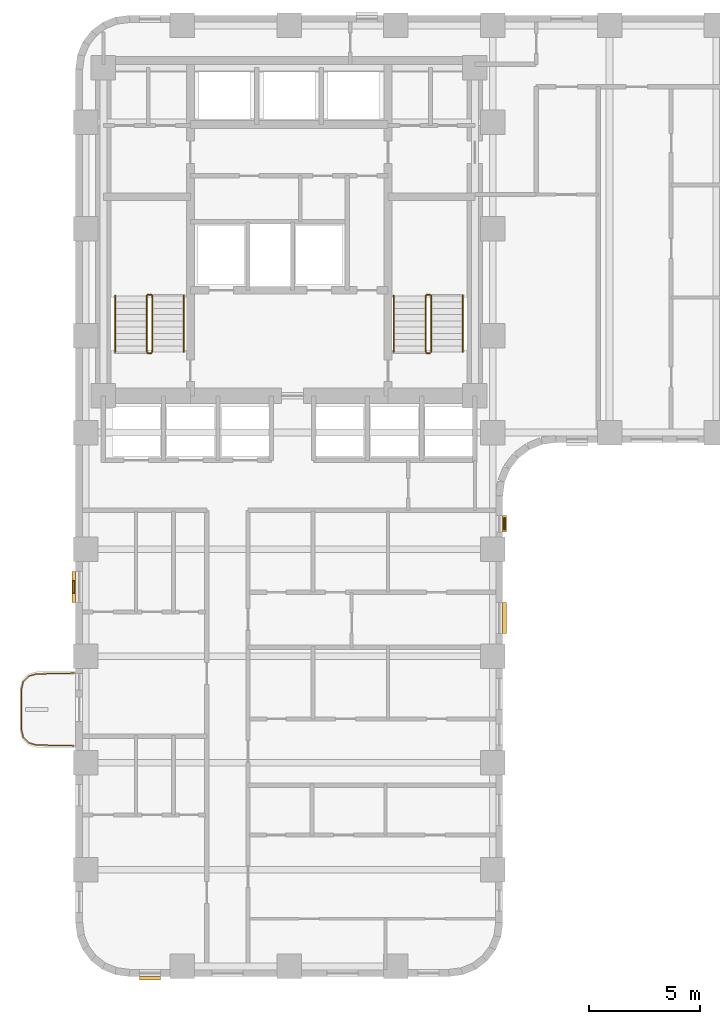
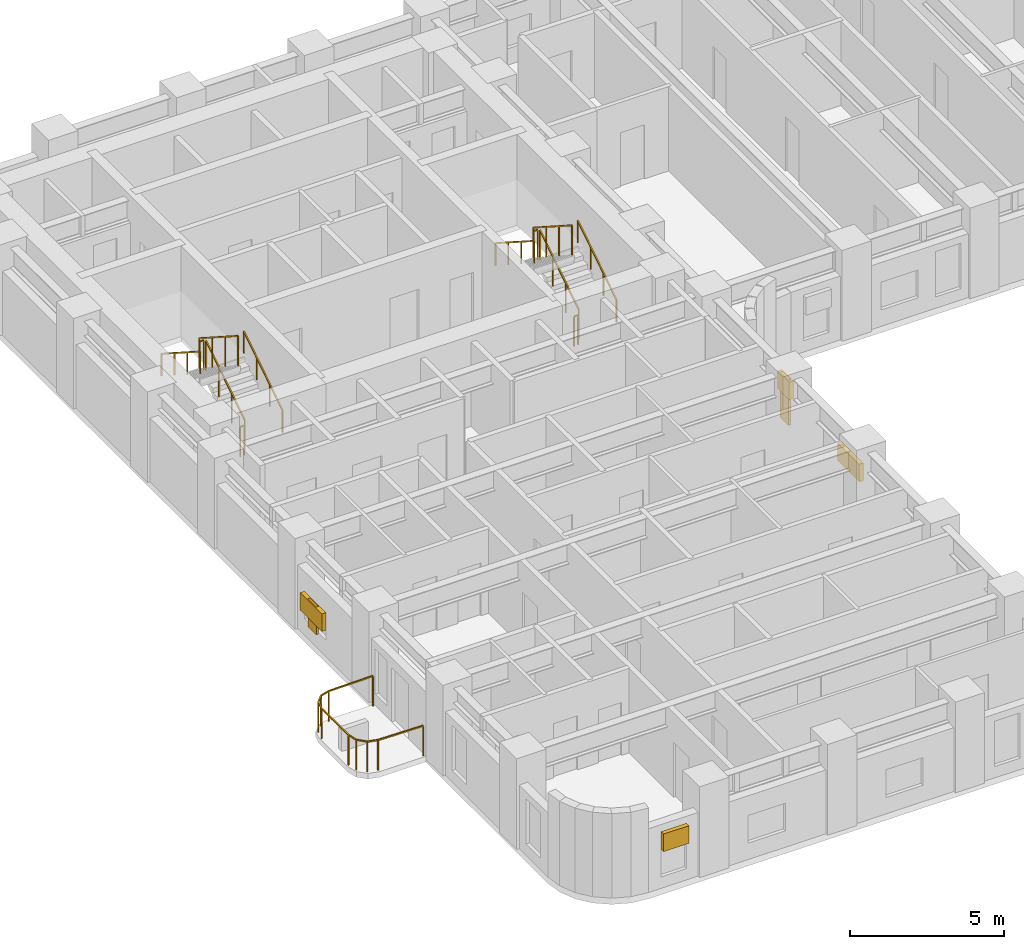
# One storey, part 9 of 11: 13 railings, 6 shading devices.
"""IFC4 building model written with IfcOpenShell, lengths in metres."""

import ifcopenshell
import ifcopenshell.guid

model = None  # the IFC model being written
_history = None  # IfcOwnerHistory: only IFC2X3 demands one
_inside = {}  # id of a spatial element -> (the spatial element, [elements in it])
_under = {}  # id of a project, library or spatial element -> (it, [spatial elements below it])
_declared = {}  # id of a project -> (the project, [libraries it declares])
_typed = {}  # id of a type object -> (the type object, [elements of that type])
_made_of = {}  # id of a material, layer set ... -> (it, [elements and type objects made of it])


def new_model(schema):
    """Start an empty IFC model of exactly this schema.

    Asked for "IFC4X3", IfcOpenShell would pick the latest addendum, in which some entities
    have other attributes; the version numbers below select the first issue.
    IFC2X3 requires an IfcOwnerHistory on every rooted entity: one is made here for all.
    """
    global model, _history
    if schema == "IFC4X3":
        model = ifcopenshell.file(schema_version=(4, 3, 0, 0))
    else:
        model = ifcopenshell.file(schema=schema)
    _inside.clear()
    _under.clear()
    _declared.clear()
    _typed.clear()
    _made_of.clear()
    _history = None
    if model.schema == "IFC2X3":
        org = make("IfcOrganization", Name="unknown")
        user = make(
            "IfcPersonAndOrganization",
            ThePerson=make("IfcPerson", FamilyName="unknown"),
            TheOrganization=org,
        )
        app = make(
            "IfcApplication",
            ApplicationDeveloper=org,
            Version="unknown",
            ApplicationFullName="unknown",
            ApplicationIdentifier="unknown",
        )
        _history = make(
            "IfcOwnerHistory",
            OwningUser=user,
            OwningApplication=app,
            ChangeAction="ADDED",
            CreationDate=0,
        )
    return model


def make(cls, **values):
    """One entity of the class cls with the attributes given. An attribute that is None is left unset."""
    return model.create_entity(
        cls, **{name: value for name, value in values.items() if value is not None}
    )


def rooted(cls, **values):
    """An entity with a GlobalId (a new one), such as an element, a storey or a relation."""
    return make(cls, GlobalId=ifcopenshell.guid.new(), OwnerHistory=_history, **values)


def si_unit(unit_type, name, prefix=None):
    """IfcSIUnit, for example si_unit("LENGTHUNIT", "METRE", prefix="MILLI")."""
    return make("IfcSIUnit", UnitType=unit_type, Prefix=prefix, Name=name)


def assignment(units):
    """IfcUnitAssignment: the units of a project."""
    return None if units is None else make("IfcUnitAssignment", Units=units)


def point(xyz):
    """IfcCartesianPoint."""
    return None if xyz is None else make("IfcCartesianPoint", Coordinates=xyz)


def direction(xyz):
    """IfcDirection."""
    return None if xyz is None else make("IfcDirection", DirectionRatios=xyz)


def frame(location, z_axis=None, x_axis=None):
    """IfcAxis2Placement3D, a coordinate frame: its origin and axes. An axis left out is left unset."""
    return make(
        "IfcAxis2Placement3D",
        Location=point(location),
        Axis=direction(z_axis),
        RefDirection=direction(x_axis),
    )


def frame_2d(location, x_axis=None):
    """IfcAxis2Placement2D, a coordinate frame in the plane: its origin and x axis."""
    return make(
        "IfcAxis2Placement2D", Location=point(location), RefDirection=direction(x_axis)
    )


def origin():
    """The frame at (0, 0, 0) with its axes left unset."""
    return frame((0.0, 0.0, 0.0))


def origin_2d():
    """The frame at (0, 0) in the plane with its x axis left unset."""
    return frame_2d((0.0, 0.0))


def place(relative_to, where):
    """IfcLocalPlacement: puts the frame where relative to a parent placement (None: the world)."""
    return make(
        "IfcLocalPlacement", PlacementRelTo=relative_to, RelativePlacement=where
    )


def context(
    kind, dimensions, precision=None, world=None, true_north=None, identifier=None
):
    """IfcGeometricRepresentationContext, for example the 3D "Model" context."""
    return make(
        "IfcGeometricRepresentationContext",
        ContextIdentifier=identifier,
        ContextType=kind,
        CoordinateSpaceDimension=dimensions,
        Precision=precision,
        WorldCoordinateSystem=world,
        TrueNorth=true_north,
    )


def subcontext(parent, identifier, kind, view, scale=None):
    """IfcGeometricRepresentationSubContext, for example "Body" below "Model"."""
    return make(
        "IfcGeometricRepresentationSubContext",
        ContextIdentifier=identifier,
        ContextType=kind,
        ParentContext=parent,
        TargetScale=scale,
        TargetView=view,
    )


def project(units=None, contexts=None):
    """IfcProject with its units and contexts."""
    return rooted(
        "IfcProject",
        Name="project",
        RepresentationContexts=contexts,
        UnitsInContext=assignment(units),
    )


def spatial(cls, under=None, at=None, **own):
    """A site, building, storey or space (cls), placed at a placement, below another one or the project."""
    s = rooted(cls, ObjectPlacement=at, **own)
    if under is not None:
        _under.setdefault(under.id(), (under, []))[1].append(s)
    return s


def profile(cls, at=None, kind="AREA", **sizes):
    """A parametric profile (cls). Its sizes go by their IFC names, for example OverallWidth=200.0."""
    return make(cls, ProfileType=kind, Position=at, **sizes)


def rectangle(**sizes):
    """IfcRectangleProfileDef."""
    return profile("IfcRectangleProfileDef", **sizes)


def extrude(swept, where, along, depth):
    """IfcExtrudedAreaSolid: the profile swept, set in the frame where, extruded along a direction by depth."""
    return make(
        "IfcExtrudedAreaSolid",
        SweptArea=swept,
        Position=where,
        ExtrudedDirection=direction(along),
        Depth=depth,
    )


def shape(context_of_items, identifier, shape_type, items):
    """IfcShapeRepresentation: the items that make up one representation, for example the "Body"."""
    return make(
        "IfcShapeRepresentation",
        ContextOfItems=context_of_items,
        RepresentationIdentifier=identifier,
        RepresentationType=shape_type,
        Items=items,
    )


def material(Name=None, Category=None):
    """IfcMaterial."""
    return make("IfcMaterial", Name=Name, Category=Category)


def made_of(thing, what):
    """Note that an element or type object is made of a material, layer set ...; save() writes the relation."""
    if what is not None:
        _made_of.setdefault(what.id(), (what, []))[1].append(thing)
    return thing


def type_object(cls, material=None, **own):
    """A type object (cls), such as IfcWallType, which elements share."""
    return made_of(rooted(cls, **own), material)


def element(
    cls,
    number,
    at=None,
    inside=None,
    cuts=None,
    type_object=None,
    material=None,
    context=None,
    identifier="Body",
    shape_type=None,
    held_by="IfcProductDefinitionShape",
    body=None,
    shapes=None,
    **own,
):
    """One element of the class cls, such as IfcWall. Its Tag is "e" and its number.

    at: its placement. inside: the storey or other place that contains it. cuts: it is an
    opening in that element (IfcRelVoidsElement). A single representation is given by context,
    identifier, shape_type and body (its items); several are given by shapes. held_by: the class
    of the entity that holds the representations. save() writes the other relations.
    """
    e = rooted(cls, Tag="e%d" % number, ObjectPlacement=at, **own)
    if body is not None:
        shapes = [shape(context, identifier, shape_type, body)]
    if shapes is not None:
        e.Representation = make(held_by, Representations=shapes)
    if inside is not None:
        _inside.setdefault(inside.id(), (inside, []))[1].append(e)
    if cuts is not None:
        rooted(
            "IfcRelVoidsElement", RelatingBuildingElement=cuts, RelatedOpeningElement=e
        )
    if type_object is not None:
        _typed.setdefault(type_object.id(), (type_object, []))[1].append(e)
    return made_of(e, material)


def aggregate(whole, parts):
    """IfcRelAggregates: a whole, such as a stair, and the parts it consists of."""
    return rooted("IfcRelAggregates", RelatingObject=whole, RelatedObjects=parts)


def save(model, path):
    """Write the relations noted so far, then the file.

    IfcRelAggregates (storeys below a building ...), IfcRelContainedInSpatialStructure (elements
    in a storey), IfcRelDefinesByType, IfcRelAssociatesMaterial and IfcRelDeclares: one each for
    every whole, place, type object, material and project.
    """
    for whole, parts in _under.values():
        aggregate(whole, parts)
    for where, things in _inside.values():
        rooted(
            "IfcRelContainedInSpatialStructure",
            RelatedElements=things,
            RelatingStructure=where,
        )
    for kind, things in _typed.values():
        rooted("IfcRelDefinesByType", RelatedObjects=things, RelatingType=kind)
    for what, things in _made_of.values():
        rooted("IfcRelAssociatesMaterial", RelatedObjects=things, RelatingMaterial=what)
    for by, libraries in _declared.values():
        rooted("IfcRelDeclares", RelatingContext=by, RelatedDefinitions=libraries)
    model.write(path)


model = new_model("IFC4")

# Units and contexts
model_context = context("Model", 3, precision=1e-05, world=origin(), true_north=direction((0.0, 1.0)))
body_context = subcontext(model_context, "Body", "Model", "MODEL_VIEW")
ifc_project = project(units=[si_unit("LENGTHUNIT", "METRE"), si_unit("AREAUNIT", "SQUARE_METRE"), si_unit("VOLUMEUNIT", "CUBIC_METRE"), si_unit("PLANEANGLEUNIT", "RADIAN"), si_unit("MASSUNIT", "GRAM", prefix="KILO")], contexts=[model_context])

# Site, building, storey
site_placement = place(None, origin())
site = spatial("IfcSite", under=ifc_project, at=site_placement, CompositionType="ELEMENT")
building_placement = place(site_placement, origin())
building = spatial("IfcBuilding", under=site, at=building_placement, Name="Orvandelia Arch Residences", CompositionType="ELEMENT")
storey_placement = place(building_placement, frame((0.0, 0.0, 89.800048828125)))
storey = spatial("IfcBuildingStorey", under=building, at=storey_placement, Name="L23", CompositionType="ELEMENT", Elevation=89.800048828125)

# Railings
ifc_material_1 = material(Name="Marine-Grade Stainless Steel 316", Category="steel")
railing_type_1 = type_object("IfcRailingType", Name="GRD-BAL-1200", PredefinedType="BALUSTRADE", material=ifc_material_1)
railing_1_placement = place(storey_placement, frame((4.728271484375, 18.430419921875, 0.0)))
element("IfcRailing", 1, at=railing_1_placement, inside=storey, type_object=railing_type_1, Name="Safety Balustrade Guard GRD-L23-BAL-L23-W1-1", PredefinedType="BALUSTRADE", context=body_context, shape_type="SweptSolid", body=[
    extrude(rectangle(XDim=0.048095703125, YDim=0.048095703125, at=origin_2d()), frame((0.0, 0.0, 1.19580078125), z_axis=(-0.999834751713, -0.018178813668, 0.0), x_axis=(0.018178813668, -0.999834751713, 0.0)), (0.0, 0.0, 1.0), 1.6787109375),
    extrude(rectangle(XDim=0.048095703125, YDim=0.048095703125, at=origin_2d()), frame((-1.678466796875, -0.030517578125, 1.19580078125), z_axis=(-0.96348920644, -0.267747173792, 0.0), x_axis=(0.267747173792, -0.96348920644, 0.0)), (0.0, 0.0, 1.0), 0.36572265625),
    extrude(rectangle(XDim=0.048095703125, YDim=0.048095703125, at=origin_2d()), frame((-2.03076171875, -0.12841796875, 1.19580078125), z_axis=(-0.688627404251, -0.725115368831, 0.0), x_axis=(0.725115368831, -0.688627404251, 0.0)), (0.0, 0.0, 1.0), 0.367919921875),
    extrude(rectangle(XDim=0.048095703125, YDim=0.048095703125, at=origin_2d()), frame((-2.2841796875, -0.395263671875, 1.19580078125), z_axis=(-0.220602419982, -0.975363815352, 0.0), x_axis=(0.975363815352, -0.220602419982, 0.0)), (0.0, 0.0, 1.0), 0.373046875),
    extrude(rectangle(XDim=0.048095703125, YDim=0.048095703125, at=origin_2d()), frame((-2.366455078125, -0.759033203125, 1.19580078125), z_axis=(0.0, -1.0, 0.0), x_axis=(1.0, 0.0, 0.0)), (0.0, 0.0, 1.0), 1.74267578125),
    extrude(rectangle(XDim=0.048095703125, YDim=0.048095703125, at=origin_2d()), frame((-2.366455078125, -2.501708984375, 1.19580078125), z_axis=(0.220602419982, -0.975363815352, 0.0), x_axis=(0.975363815352, 0.220602419982, 0.0)), (0.0, 0.0, 1.0), 0.373046875),
    extrude(rectangle(XDim=0.048095703125, YDim=0.048095703125, at=origin_2d()), frame((-2.2841796875, -2.865478515625, 1.19580078125), z_axis=(0.688296224633, -0.725429739642, 0.0), x_axis=(0.725429739642, 0.688296224633, 0.0)), (0.0, 0.0, 1.0), 0.3681640625),
    extrude(rectangle(XDim=0.048095703125, YDim=0.048095703125, at=origin_2d()), frame((-2.03076171875, -3.132568359375, 1.19580078125), z_axis=(0.96348920644, -0.267747173792, 0.0), x_axis=(0.267747173792, 0.96348920644, 0.0)), (0.0, 0.0, 1.0), 0.36572265625),
    extrude(rectangle(XDim=0.048095703125, YDim=0.048095703125, at=origin_2d()), frame((-1.678466796875, -3.23046875, 1.19580078125), z_axis=(0.999837384468, -0.018033430643, 0.0), x_axis=(0.018033430643, 0.999837384468, 0.0)), (0.0, 0.0, 1.0), 1.6787109375),
    extrude(rectangle(XDim=0.0419921875, YDim=0.0419921875, at=origin_2d()), origin(), (0.0, 0.0, 1.0), 1.171875),
    extrude(rectangle(XDim=0.0419921875, YDim=0.0419921875, at=origin_2d()), frame((-1.678466796875, -0.030517578125, 0.0)), (0.0, 0.0, 1.0), 1.171875),
    extrude(rectangle(XDim=0.0419921875, YDim=0.0419921875, at=origin_2d()), frame((-2.03076171875, -0.12841796875, 0.0)), (0.0, 0.0, 1.0), 1.171875),
    extrude(rectangle(XDim=0.0419921875, YDim=0.0419921875, at=origin_2d()), frame((-2.2841796875, -0.395263671875, 0.0)), (0.0, 0.0, 1.0), 1.171875),
    extrude(rectangle(XDim=0.0419921875, YDim=0.0419921875, at=origin_2d()), frame((-2.366455078125, -0.759033203125, 0.0)), (0.0, 0.0, 1.0), 1.171875),
    extrude(rectangle(XDim=0.0419921875, YDim=0.0419921875, at=origin_2d()), frame((-2.366455078125, -2.501708984375, 0.0)), (0.0, 0.0, 1.0), 1.171875),
    extrude(rectangle(XDim=0.0419921875, YDim=0.0419921875, at=origin_2d()), frame((-2.2841796875, -2.865478515625, 0.0)), (0.0, 0.0, 1.0), 1.171875),
    extrude(rectangle(XDim=0.0419921875, YDim=0.0419921875, at=origin_2d()), frame((-2.03076171875, -3.132568359375, 0.0)), (0.0, 0.0, 1.0), 1.171875),
    extrude(rectangle(XDim=0.0419921875, YDim=0.0419921875, at=origin_2d()), frame((-1.678466796875, -3.23046875, 0.0)), (0.0, 0.0, 1.0), 1.171875),
    extrude(rectangle(XDim=0.0419921875, YDim=0.0419921875, at=origin_2d()), frame((0.0, -3.2607421875, 0.0)), (0.0, 0.0, 1.0), 1.171875),
])
ifc_material_2 = material(Name="Brushed Stainless Steel 304", Category="steel")
railing_type_2 = type_object("IfcRailingType", Name="RL-STAIR-GD1120", PredefinedType="GUARDRAIL", material=ifc_material_2)
railing_2_placement = place(storey_placement, frame((8.25, 32.8701171875, 0.179931640625)))
element("IfcRailing", 2, at=railing_2_placement, inside=storey, type_object=railing_type_2, Name="L23 ST-1 stair guard 1", PredefinedType="GUARDRAIL", context=body_context, shape_type="SweptSolid", body=[
    extrude(rectangle(XDim=0.048095703125, YDim=0.048095703125, at=origin_2d()), frame((0.0, 0.0, 1.17578125), z_axis=(0.0, 0.841138753965, 0.540819375188), x_axis=(-1.0, 0.0, 0.0)), (0.0, 0.0, 1.0), 2.99560546875),
    extrude(rectangle(XDim=0.0419921875, YDim=0.0419921875, at=origin_2d()), origin(), (0.0, 0.0, 1.0), 1.15185546875),
    extrude(rectangle(XDim=0.0419921875, YDim=0.0419921875, at=origin_2d()), frame((0.0, 0.83984375, 0.5400390625)), (0.0, 0.0, 1.0), 1.15185546875),
    extrude(rectangle(XDim=0.0419921875, YDim=0.0419921875, at=origin_2d()), frame((0.0, 1.679931640625, 1.080078125)), (0.0, 0.0, 1.0), 1.15185546875),
    extrude(rectangle(XDim=0.0419921875, YDim=0.0419921875, at=origin_2d()), frame((0.0, 2.519775390625, 1.6201171875)), (0.0, 0.0, 1.0), 1.15185546875),
])
railing_3_placement = place(storey_placement, frame((8.199951171875, 35.43994140625, 1.800048828125)))
element("IfcRailing", 3, at=railing_3_placement, inside=storey, type_object=railing_type_2, Name="L23 ST-1 stair guard 2", PredefinedType="GUARDRAIL", context=body_context, shape_type="SweptSolid", body=[
    extrude(rectangle(XDim=0.048095703125, YDim=0.048095703125, at=origin_2d()), frame((0.0, 0.0, 1.17578125), z_axis=(-1.0, 0.0, 0.0), x_axis=(0.0, -1.0, 0.0)), (0.0, 0.0, 1.0), 0.14990234375),
    extrude(rectangle(XDim=0.0419921875, YDim=0.0419921875, at=origin_2d()), origin(), (0.0, 0.0, 1.0), 1.15185546875),
    extrude(rectangle(XDim=0.0419921875, YDim=0.0419921875, at=origin_2d()), frame((-0.14990234375, 0.0, 0.0)), (0.0, 0.0, 1.0), 1.15185546875),
])
railing_4_placement = place(storey_placement, frame((8.0, 35.389892578125, 1.97998046875)))
element("IfcRailing", 4, at=railing_4_placement, inside=storey, type_object=railing_type_2, Name="L23 ST-1 stair guard 3", PredefinedType="GUARDRAIL", context=body_context, shape_type="SweptSolid", body=[
    extrude(rectangle(XDim=0.048095703125, YDim=0.048095703125, at=origin_2d()), frame((0.0, 0.0, 1.17578125), z_axis=(0.0, -0.841175827307, 0.540761710511), x_axis=(1.0, 0.0, 0.0)), (0.0, 0.0, 1.0), 2.99560546875),
    extrude(rectangle(XDim=0.0419921875, YDim=0.0419921875, at=origin_2d()), origin(), (0.0, 0.0, 1.0), 1.15185546875),
    extrude(rectangle(XDim=0.0419921875, YDim=0.0419921875, at=origin_2d()), frame((0.0, -0.83984375, 0.5400390625)), (0.0, 0.0, 1.0), 1.15185546875),
    extrude(rectangle(XDim=0.0419921875, YDim=0.0419921875, at=origin_2d()), frame((0.0, -1.679931640625, 1.079833984375)), (0.0, 0.0, 1.0), 1.15185546875),
    extrude(rectangle(XDim=0.0419921875, YDim=0.0419921875, at=origin_2d()), frame((0.0, -2.519775390625, 1.619873046875)), (0.0, 0.0, 1.0), 1.15185546875),
])
railing_5_placement = place(storey_placement, frame((8.199951171875, 32.820068359375, 0.0)))
element("IfcRailing", 5, at=railing_5_placement, inside=storey, type_object=railing_type_2, Name="L23 ST-1 stair guard 4", PredefinedType="GUARDRAIL", context=body_context, shape_type="SweptSolid", body=[
    extrude(rectangle(XDim=0.048095703125, YDim=0.048095703125, at=origin_2d()), frame((0.0, 0.0, 1.17578125), z_axis=(-1.0, 0.0, 0.0), x_axis=(0.0, -1.0, 0.0)), (0.0, 0.0, 1.0), 0.14990234375),
    extrude(rectangle(XDim=0.0419921875, YDim=0.0419921875, at=origin_2d()), origin(), (0.0, 0.0, 1.0), 1.15185546875),
    extrude(rectangle(XDim=0.0419921875, YDim=0.0419921875, at=origin_2d()), frame((-0.14990234375, 0.0, 0.0)), (0.0, 0.0, 1.0), 1.15185546875),
])
railing_6_placement = place(storey_placement, frame((20.780029296875, 32.8701171875, 0.179931640625)))
element("IfcRailing", 6, at=railing_6_placement, inside=storey, type_object=railing_type_2, Name="L23 ST-2 stair guard 1", PredefinedType="GUARDRAIL", context=body_context, shape_type="SweptSolid", body=[
    extrude(rectangle(XDim=0.048095703125, YDim=0.048095703125, at=origin_2d()), frame((0.0, 0.0, 1.17578125), z_axis=(0.0, 0.841138753965, 0.540819375188), x_axis=(-1.0, 0.0, 0.0)), (0.0, 0.0, 1.0), 2.99560546875),
    extrude(rectangle(XDim=0.0419921875, YDim=0.0419921875, at=origin_2d()), origin(), (0.0, 0.0, 1.0), 1.15185546875),
    extrude(rectangle(XDim=0.0419921875, YDim=0.0419921875, at=origin_2d()), frame((0.0, 0.83984375, 0.5400390625)), (0.0, 0.0, 1.0), 1.15185546875),
    extrude(rectangle(XDim=0.0419921875, YDim=0.0419921875, at=origin_2d()), frame((0.0, 1.679931640625, 1.080078125)), (0.0, 0.0, 1.0), 1.15185546875),
    extrude(rectangle(XDim=0.0419921875, YDim=0.0419921875, at=origin_2d()), frame((0.0, 2.519775390625, 1.6201171875)), (0.0, 0.0, 1.0), 1.15185546875),
])
railing_7_placement = place(storey_placement, frame((20.72998046875, 35.43994140625, 1.800048828125)))
element("IfcRailing", 7, at=railing_7_placement, inside=storey, type_object=railing_type_2, Name="L23 ST-2 stair guard 2", PredefinedType="GUARDRAIL", context=body_context, shape_type="SweptSolid", body=[
    extrude(rectangle(XDim=0.048095703125, YDim=0.048095703125, at=origin_2d()), frame((0.0, 0.0, 1.17578125), z_axis=(-1.0, 0.0, 0.0), x_axis=(0.0, -1.0, 0.0)), (0.0, 0.0, 1.0), 0.14990234375),
    extrude(rectangle(XDim=0.0419921875, YDim=0.0419921875, at=origin_2d()), origin(), (0.0, 0.0, 1.0), 1.15185546875),
    extrude(rectangle(XDim=0.0419921875, YDim=0.0419921875, at=origin_2d()), frame((-0.14990234375, 0.0, 0.0)), (0.0, 0.0, 1.0), 1.15185546875),
])
railing_8_placement = place(storey_placement, frame((20.530029296875, 35.389892578125, 1.97998046875)))
element("IfcRailing", 8, at=railing_8_placement, inside=storey, type_object=railing_type_2, Name="L23 ST-2 stair guard 3", PredefinedType="GUARDRAIL", context=body_context, shape_type="SweptSolid", body=[
    extrude(rectangle(XDim=0.048095703125, YDim=0.048095703125, at=origin_2d()), frame((0.0, 0.0, 1.17578125), z_axis=(0.0, -0.841175827307, 0.540761710511), x_axis=(1.0, 0.0, 0.0)), (0.0, 0.0, 1.0), 2.99560546875),
    extrude(rectangle(XDim=0.0419921875, YDim=0.0419921875, at=origin_2d()), origin(), (0.0, 0.0, 1.0), 1.15185546875),
    extrude(rectangle(XDim=0.0419921875, YDim=0.0419921875, at=origin_2d()), frame((0.0, -0.83984375, 0.5400390625)), (0.0, 0.0, 1.0), 1.15185546875),
    extrude(rectangle(XDim=0.0419921875, YDim=0.0419921875, at=origin_2d()), frame((0.0, -1.679931640625, 1.079833984375)), (0.0, 0.0, 1.0), 1.15185546875),
    extrude(rectangle(XDim=0.0419921875, YDim=0.0419921875, at=origin_2d()), frame((0.0, -2.519775390625, 1.619873046875)), (0.0, 0.0, 1.0), 1.15185546875),
])
railing_9_placement = place(storey_placement, frame((20.72998046875, 32.820068359375, 0.0)))
element("IfcRailing", 9, at=railing_9_placement, inside=storey, type_object=railing_type_2, Name="L23 ST-2 stair guard 4", PredefinedType="GUARDRAIL", context=body_context, shape_type="SweptSolid", body=[
    extrude(rectangle(XDim=0.048095703125, YDim=0.048095703125, at=origin_2d()), frame((0.0, 0.0, 1.17578125), z_axis=(-1.0, 0.0, 0.0), x_axis=(0.0, -1.0, 0.0)), (0.0, 0.0, 1.0), 0.14990234375),
    extrude(rectangle(XDim=0.0419921875, YDim=0.0419921875, at=origin_2d()), origin(), (0.0, 0.0, 1.0), 1.15185546875),
    extrude(rectangle(XDim=0.0419921875, YDim=0.0419921875, at=origin_2d()), frame((-0.14990234375, 0.0, 0.0)), (0.0, 0.0, 1.0), 1.15185546875),
])
railing_type_3 = type_object("IfcRailingType", Name="RL-STAIR-HR920", PredefinedType="HANDRAIL", material=ifc_material_2)
railing_10_placement = place(storey_placement, frame((9.669921875, 32.8701171875, 0.35986328125)))
element("IfcRailing", 10, at=railing_10_placement, inside=storey, type_object=railing_type_3, Name="L23 ST-1 stair handrail 1", PredefinedType="HANDRAIL", context=body_context, shape_type="SweptSolid", body=[
    extrude(rectangle(XDim=0.048095703125, YDim=0.048095703125, at=origin_2d()), frame((0.0, 0.0, 0.8759765625), z_axis=(0.0, 0.841138753965, 0.540819375188), x_axis=(-1.0, 0.0, 0.0)), (0.0, 0.0, 1.0), 2.99560546875),
    extrude(rectangle(XDim=0.0419921875, YDim=0.0419921875, at=origin_2d()), origin(), (0.0, 0.0, 1.0), 0.851806640625),
    extrude(rectangle(XDim=0.0419921875, YDim=0.0419921875, at=origin_2d()), frame((0.0, 0.83984375, 0.5400390625)), (0.0, 0.0, 1.0), 0.851806640625),
    extrude(rectangle(XDim=0.0419921875, YDim=0.0419921875, at=origin_2d()), frame((0.0, 1.679931640625, 1.080078125)), (0.0, 0.0, 1.0), 0.851806640625),
    extrude(rectangle(XDim=0.0419921875, YDim=0.0419921875, at=origin_2d()), frame((0.0, 2.519775390625, 1.6201171875)), (0.0, 0.0, 1.0), 0.851806640625),
])
railing_11_placement = place(storey_placement, frame((6.580078125, 35.389892578125, 2.159912109375)))
element("IfcRailing", 11, at=railing_11_placement, inside=storey, type_object=railing_type_3, Name="L23 ST-1 stair handrail 2", PredefinedType="HANDRAIL", context=body_context, shape_type="SweptSolid", body=[
    extrude(rectangle(XDim=0.048095703125, YDim=0.048095703125, at=origin_2d()), frame((0.0, 0.0, 0.8759765625), z_axis=(0.0, -0.841138753965, 0.540819375188), x_axis=(1.0, 0.0, 0.0)), (0.0, 0.0, 1.0), 2.99560546875),
    extrude(rectangle(XDim=0.0419921875, YDim=0.0419921875, at=origin_2d()), origin(), (0.0, 0.0, 1.0), 0.851806640625),
    extrude(rectangle(XDim=0.0419921875, YDim=0.0419921875, at=origin_2d()), frame((0.0, -0.83984375, 0.5400390625)), (0.0, 0.0, 1.0), 0.851806640625),
    extrude(rectangle(XDim=0.0419921875, YDim=0.0419921875, at=origin_2d()), frame((0.0, -1.679931640625, 1.080078125)), (0.0, 0.0, 1.0), 0.851806640625),
    extrude(rectangle(XDim=0.0419921875, YDim=0.0419921875, at=origin_2d()), frame((0.0, -2.519775390625, 1.6201171875)), (0.0, 0.0, 1.0), 0.851806640625),
])
railing_12_placement = place(storey_placement, frame((22.199951171875, 32.8701171875, 0.35986328125)))
element("IfcRailing", 12, at=railing_12_placement, inside=storey, type_object=railing_type_3, Name="L23 ST-2 stair handrail 1", PredefinedType="HANDRAIL", context=body_context, shape_type="SweptSolid", body=[
    extrude(rectangle(XDim=0.048095703125, YDim=0.048095703125, at=origin_2d()), frame((0.0, 0.0, 0.8759765625), z_axis=(0.0, 0.841138753965, 0.540819375188), x_axis=(-1.0, 0.0, 0.0)), (0.0, 0.0, 1.0), 2.99560546875),
    extrude(rectangle(XDim=0.0419921875, YDim=0.0419921875, at=origin_2d()), origin(), (0.0, 0.0, 1.0), 0.851806640625),
    extrude(rectangle(XDim=0.0419921875, YDim=0.0419921875, at=origin_2d()), frame((0.0, 0.83984375, 0.5400390625)), (0.0, 0.0, 1.0), 0.851806640625),
    extrude(rectangle(XDim=0.0419921875, YDim=0.0419921875, at=origin_2d()), frame((0.0, 1.679931640625, 1.080078125)), (0.0, 0.0, 1.0), 0.851806640625),
    extrude(rectangle(XDim=0.0419921875, YDim=0.0419921875, at=origin_2d()), frame((0.0, 2.519775390625, 1.6201171875)), (0.0, 0.0, 1.0), 0.851806640625),
])
railing_13_placement = place(storey_placement, frame((19.110107421875, 35.389892578125, 2.159912109375)))
element("IfcRailing", 13, at=railing_13_placement, inside=storey, type_object=railing_type_3, Name="L23 ST-2 stair handrail 2", PredefinedType="HANDRAIL", context=body_context, shape_type="SweptSolid", body=[
    extrude(rectangle(XDim=0.048095703125, YDim=0.048095703125, at=origin_2d()), frame((0.0, 0.0, 0.8759765625), z_axis=(0.0, -0.841138753965, 0.540819375188), x_axis=(1.0, 0.0, 0.0)), (0.0, 0.0, 1.0), 2.99560546875),
    extrude(rectangle(XDim=0.0419921875, YDim=0.0419921875, at=origin_2d()), origin(), (0.0, 0.0, 1.0), 0.851806640625),
    extrude(rectangle(XDim=0.0419921875, YDim=0.0419921875, at=origin_2d()), frame((0.0, -0.83984375, 0.5400390625)), (0.0, 0.0, 1.0), 0.851806640625),
    extrude(rectangle(XDim=0.0419921875, YDim=0.0419921875, at=origin_2d()), frame((0.0, -1.679931640625, 1.080078125)), (0.0, 0.0, 1.0), 0.851806640625),
    extrude(rectangle(XDim=0.0419921875, YDim=0.0419921875, at=origin_2d()), frame((0.0, -2.519775390625, 1.6201171875)), (0.0, 0.0, 1.0), 0.851806640625),
])

# Shading devices
ifc_material_3 = material(Name="Anodised Champagne-Bronze Extruded Aluminium", Category="aluminium")
shading_device_type_1 = type_object("IfcShadingDeviceType", Name="SHD-JALOUSIE-SCREEN", PredefinedType="JALOUSIE", material=ifc_material_3)
shading_device_1_placement = place(storey_placement, frame((24.080078125, 25.14501953125, 1.5498046875), z_axis=(0.0, 0.0, 1.0), x_axis=(0.0, -1.0, 0.0)))
element("IfcShadingDevice", 14, at=shading_device_1_placement, inside=storey, type_object=shading_device_type_1, Name="Bronze Jalousie Sun-Shade L23-006", PredefinedType="JALOUSIE", context=body_context, shape_type="SweptSolid", body=[
    extrude(rectangle(XDim=0.75, YDim=0.159912109375, at=origin_2d()), origin(), (0.0, 0.0, 1.0), 0.699951171875),
])
shading_device_2_placement = place(storey_placement, frame((24.080078125, 20.919921875, 1.0498046875), z_axis=(0.0, 0.0, 1.0), x_axis=(0.0, -1.0, 0.0)))
element("IfcShadingDevice", 15, at=shading_device_2_placement, inside=storey, type_object=shading_device_type_1, Name="Bronze Jalousie Sun-Shade L23-007", PredefinedType="JALOUSIE", context=body_context, shape_type="SweptSolid", body=[
    extrude(rectangle(XDim=1.39990234375, YDim=0.159912109375, at=origin_2d()), origin(), (0.0, 0.0, 1.0), 0.699951171875),
])
shading_device_3_placement = place(storey_placement, frame((8.14501953125, 4.719970703125, 1.5498046875), z_axis=(0.0, 0.0, 1.0), x_axis=(-1.0, 0.0, 0.0)))
element("IfcShadingDevice", 16, at=shading_device_3_placement, inside=storey, type_object=shading_device_type_1, Name="Bronze Jalousie Sun-Shade L23-008", PredefinedType="JALOUSIE", context=body_context, shape_type="SweptSolid", body=[
    extrude(rectangle(XDim=0.949951171875, YDim=0.159912109375, at=origin_2d()), origin(), (0.0, 0.0, 1.0), 0.699951171875),
])
shading_device_4_placement = place(storey_placement, frame((4.719970703125, 22.31005859375, 1.0498046875), z_axis=(0.0, 0.0, 1.0), x_axis=(0.0, 1.0, 0.0)))
element("IfcShadingDevice", 17, at=shading_device_4_placement, inside=storey, type_object=shading_device_type_1, Name="Bronze Jalousie Sun-Shade L23-009", PredefinedType="JALOUSIE", context=body_context, shape_type="SweptSolid", body=[
    extrude(rectangle(XDim=1.39990234375, YDim=0.159912109375, at=origin_2d()), origin(), (0.0, 0.0, 1.0), 0.699951171875),
])
ifc_material_4 = material(Name="Marine-Grade Perforated Aluminium Storm Shutter", Category="aluminium")
shading_device_type_2 = type_object("IfcShadingDeviceType", Name="SHD-STORM-SHUTTER", PredefinedType="SHUTTER", material=ifc_material_4)
shading_device_5_placement = place(storey_placement, frame((24.080078125, 25.14501953125, 0.44970703125), z_axis=(0.0, 0.0, 1.0), x_axis=(0.0, -1.0, 0.0)))
element("IfcShadingDevice", 18, at=shading_device_5_placement, inside=storey, type_object=shading_device_type_2, Name="Operable Typhoon Storm Shutter L23-006", PredefinedType="SHUTTER", context=body_context, shape_type="SweptSolid", body=[
    extrude(rectangle(XDim=0.550048828125, YDim=0.080078125, at=origin_2d()), origin(), (0.0, 0.0, 1.0), 1.800048828125),
])
shading_device_6_placement = place(storey_placement, frame((4.719970703125, 22.31005859375, 0.64990234375), z_axis=(0.0, 0.0, 1.0), x_axis=(0.0, 1.0, 0.0)))
element("IfcShadingDevice", 19, at=shading_device_6_placement, inside=storey, type_object=shading_device_type_2, Name="Operable Typhoon Storm Shutter L23-009", PredefinedType="SHUTTER", context=body_context, shape_type="SweptSolid", body=[
    extrude(rectangle(XDim=0.550048828125, YDim=0.080078125, at=origin_2d()), origin(), (0.0, 0.0, 1.0), 1.10009765625),
])

save(model, "model.ifc")
